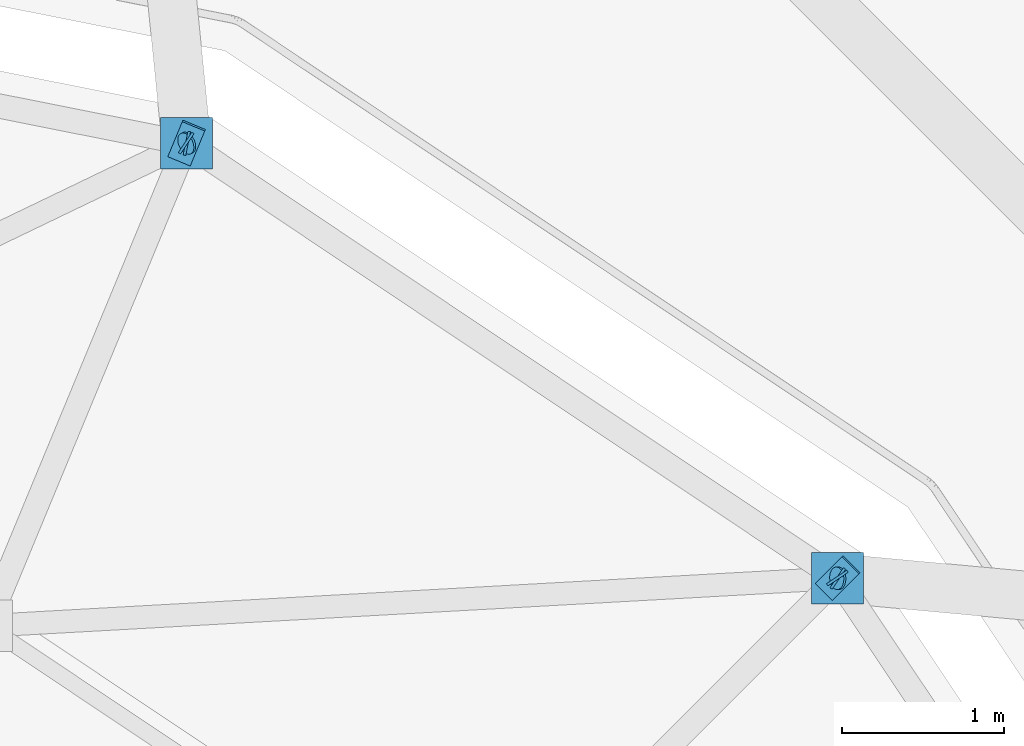
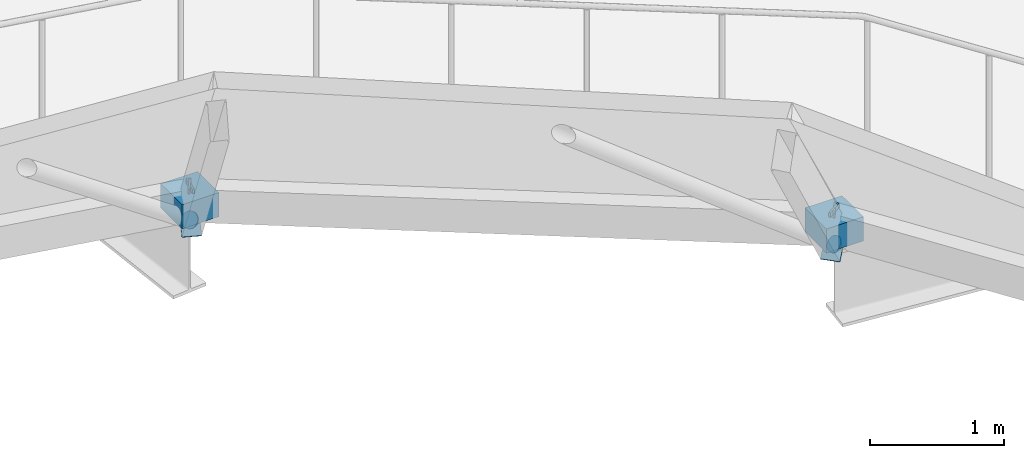
# One storey, part 32 of 40: 10 discrete accessories.
"""IFC4 building model written with IfcOpenShell, lengths in metres."""

from ifc_helpers import new_model, si_unit, direction, frame, origin, origin_2d, place, context, subcontext, project, spatial, rectangle, circle, extrude, material, type_object, element, save


model = new_model("IFC4")

# Units and contexts
model_context = context("Model", 3, precision=1e-05, world=origin(), true_north=direction((0.0, 1.0)))
body_context = subcontext(model_context, "Body", "Model", "MODEL_VIEW")
ifc_project = project(units=[si_unit("LENGTHUNIT", "METRE"), si_unit("AREAUNIT", "SQUARE_METRE"), si_unit("VOLUMEUNIT", "CUBIC_METRE"), si_unit("PLANEANGLEUNIT", "RADIAN"), si_unit("MASSUNIT", "GRAM", prefix="KILO"), si_unit("THERMODYNAMICTEMPERATUREUNIT", "KELVIN")], contexts=[model_context])

# Site, building, storey
site_placement = place(None, origin())
site = spatial("IfcSite", under=ifc_project, at=site_placement, CompositionType="ELEMENT")
building_placement = place(site_placement, origin())
building = spatial("IfcBuilding", under=site, at=building_placement, Name="Lustrewick Department Store", CompositionType="ELEMENT")
storey_placement = place(building_placement, frame((0.0, 0.0, 31.800048828125)))
storey = spatial("IfcBuildingStorey", under=building, at=storey_placement, Name="L07", CompositionType="ELEMENT", Elevation=31.800048828125)

# Discrete accessories
ifc_material = material(Name="Structural steel Q355C", Category="steel")
discrete_accessory_type_1 = type_object("IfcDiscreteAccessoryType", Name="GUS-NODE", PredefinedType="BRACKET", material=ifc_material)
for number, where, z_axis, x_axis, name in (
    (1, (38.15576171875, 75.955810546875, -0.28076171875), (0.0, 0.0, 1.0), (1.0, 0.0, 0.0), "V1 Dome Truss Ring 0 Node Gusset 03"),
    (2, (34.138671875, 78.639892578125, -0.28076171875), (0.0, 0.0, 1.0), (1.0, 0.0, 0.0), "V1 Dome Truss Ring 0 Node Gusset 04"),
):
    element("IfcDiscreteAccessory", number, at=place(storey_placement, frame(where, z_axis=z_axis, x_axis=x_axis)), inside=storey, type_object=discrete_accessory_type_1, Name=name, PredefinedType="BRACKET", context=body_context, shape_type="SweptSolid", body=[
        extrude(rectangle(XDim=0.320068359375, YDim=0.320068359375, at=origin_2d()), origin(), (0.0, 0.0, 1.0), 0.219970703125),
    ])
discrete_accessory_type_2 = type_object("IfcDiscreteAccessoryType", Name="ECP-01", PredefinedType="USERDEFINED", material=ifc_material)
for number, where, z_axis, x_axis, name in (
    (3, (34.1328125, 78.64111328125, -0.170654296875), (0.98078420768, -0.195095714882, 0.0), (-0.195095714882, -0.98078420768, 0.0), "L07 Welded Hollow-Section End-Cap Plate ECP-01"),
    (4, (34.1435546875, 78.636474609375, -0.170654296875), (-0.83147454491, 0.55556285078, 0.0), (-0.55556285078, -0.83147454491, 0.0), "L07 Welded Hollow-Section End-Cap Plate ECP-01"),
    (5, (38.15087890625, 75.959228515625, -0.170654296875), (0.83147454491, -0.55556285078, 0.0), (-0.55556285078, -0.83147454491, 0.0), "L07 Welded Hollow-Section End-Cap Plate ECP-01"),
    (6, (38.153076171875, 75.953125, -0.322021484375), (0.443450133335, 0.443450133335, -0.778912035143), (0.707106781187, -0.707106781187, 0.0), "L07 Welded Hollow-Section End-Cap Plate ECP-01"),
):
    element("IfcDiscreteAccessory", number, at=place(storey_placement, frame(where, z_axis=z_axis, x_axis=x_axis)), inside=storey, type_object=discrete_accessory_type_2, Name=name, ObjectType="END_CAP_PLATE", PredefinedType="USERDEFINED", context=body_context, shape_type="SweptSolid", body=[
        extrude(rectangle(XDim=0.14990234375, YDim=0.300048828125, at=origin_2d()), origin(), (0.0, 0.0, 1.0), 0.01611328125),
    ])
discrete_accessory_1_placement = place(storey_placement, frame((34.134521484375, 78.637939453125, -0.347900390625), z_axis=(0.704276620764, 0.338858287549, -0.62383451524), x_axis=(0.433568533567, -0.901120594982, 0.0)))
element("IfcDiscreteAccessory", 7, at=discrete_accessory_1_placement, inside=storey, type_object=discrete_accessory_type_2, Name="L07 Welded Hollow-Section End-Cap Plate ECP-01", ObjectType="END_CAP_PLATE", PredefinedType="USERDEFINED", context=body_context, shape_type="SweptSolid", body=[
    extrude(circle(Radius=0.070068359375, at=origin_2d()), origin(), (0.0, 0.0, 1.0), 0.01611328125),
])
for number, where, z_axis, x_axis, name in (
    (8, (38.1591796875, 75.950927734375, -0.170654296875), (-0.55556285078, 0.83147454491, 0.0), (-0.83147454491, -0.55556285078, 0.0), "L07 Welded Hollow-Section End-Cap Plate ECP-01"),
    (9, (34.13720703125, 78.636474609375, -0.322021484375), (0.240017807162, 0.579377901493, -0.778917646165), (0.923861703701, -0.382726472086, 0.0), "L07 Welded Hollow-Section End-Cap Plate ECP-01"),
):
    element("IfcDiscreteAccessory", number, at=place(storey_placement, frame(where, z_axis=z_axis, x_axis=x_axis)), inside=storey, type_object=discrete_accessory_type_2, Name=name, ObjectType="END_CAP_PLATE", PredefinedType="USERDEFINED", context=body_context, shape_type="SweptSolid", body=[
        extrude(rectangle(XDim=0.14990234375, YDim=0.300048828125, at=origin_2d()), origin(), (0.0, 0.0, 1.0), 0.01611328125),
    ])
discrete_accessory_2_placement = place(storey_placement, frame((38.151123046875, 75.95556640625, -0.347900390625), z_axis=(0.780335827675, 0.043577761045, -0.623840504288), x_axis=(0.055758003313, -0.998444312451, 0.0)))
element("IfcDiscreteAccessory", 10, at=discrete_accessory_2_placement, inside=storey, type_object=discrete_accessory_type_2, Name="L07 Welded Hollow-Section End-Cap Plate ECP-01", ObjectType="END_CAP_PLATE", PredefinedType="USERDEFINED", context=body_context, shape_type="SweptSolid", body=[
    extrude(circle(Radius=0.070068359375, at=origin_2d()), origin(), (0.0, 0.0, 1.0), 0.01611328125),
])

save(model, "model.ifc")
